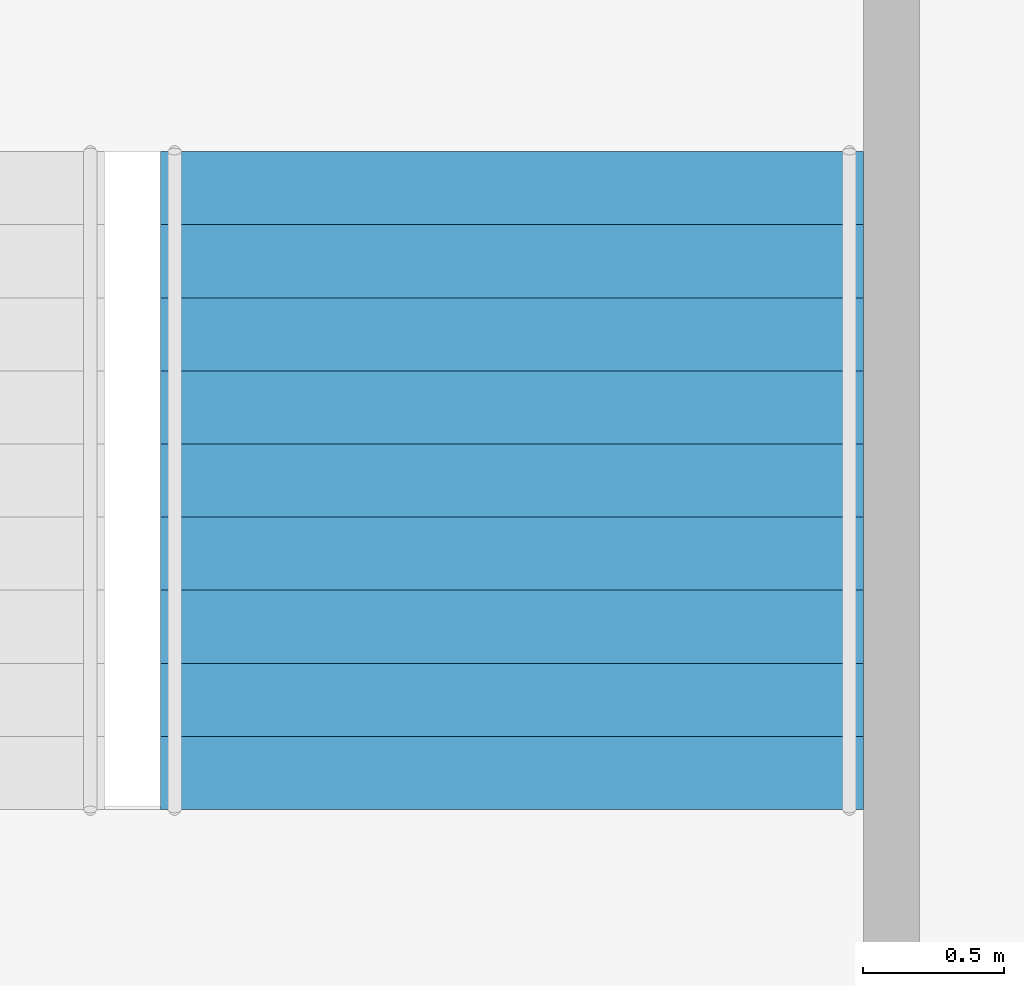
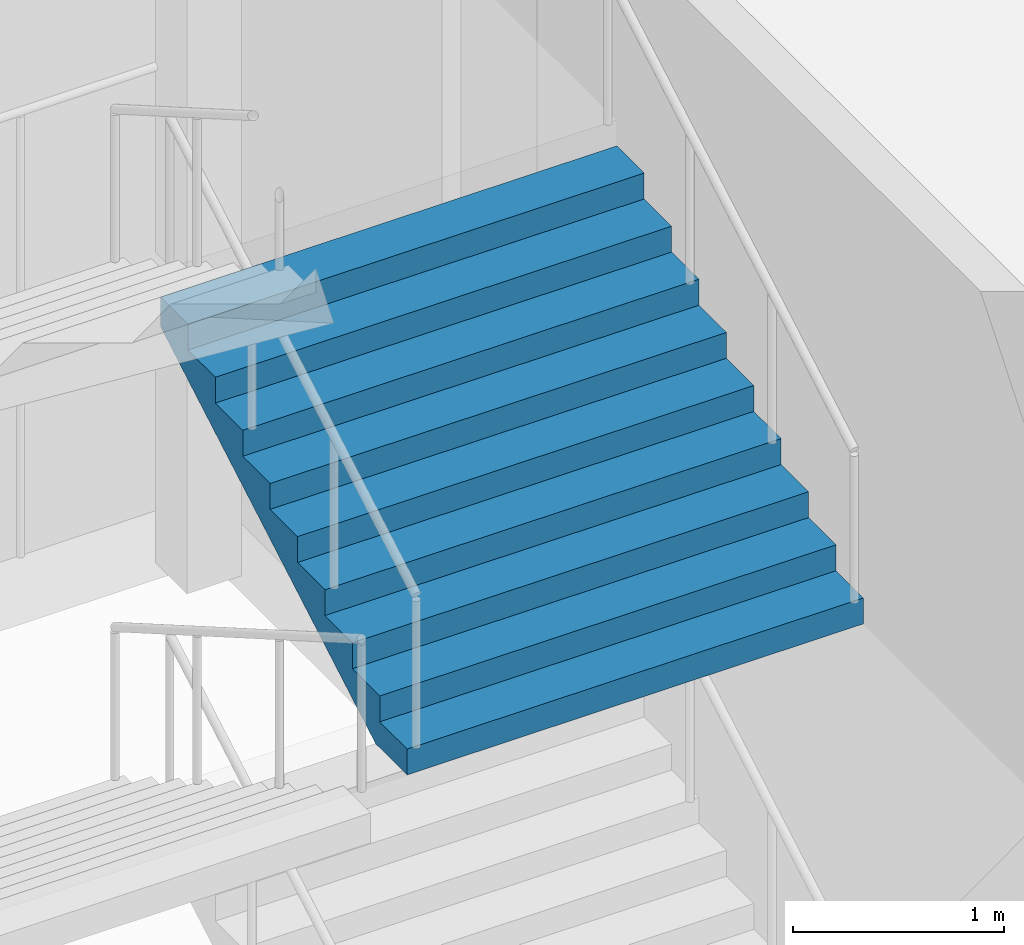
# One storey, part 49 of 100: 1 stair flight, 1 element without a shape of its own.
"""IFC4 building model written with IfcOpenShell, lengths in metres."""

from ifc_helpers import new_model, si_unit, direction, frame, origin, place, context, subcontext, project, spatial, triangles, material, type_object, element, aggregate, save


model = new_model("IFC4")

# Units and contexts
model_context = context("Model", 3, precision=1e-05, world=origin(), true_north=direction((0.0, 1.0)))
body_context = subcontext(model_context, "Body", "Model", "MODEL_VIEW")
ifc_project = project(units=[si_unit("LENGTHUNIT", "METRE"), si_unit("AREAUNIT", "SQUARE_METRE"), si_unit("VOLUMEUNIT", "CUBIC_METRE"), si_unit("PLANEANGLEUNIT", "RADIAN"), si_unit("MASSUNIT", "GRAM", prefix="KILO")], contexts=[model_context])

# Site, building, storey
site_placement = place(None, origin())
site = spatial("IfcSite", under=ifc_project, at=site_placement, CompositionType="ELEMENT")
building_placement = place(site_placement, origin())
building = spatial("IfcBuilding", under=site, at=building_placement, Name="Hakoniwa Tower and Hamabe Station Hall", CompositionType="ELEMENT")
storey_placement = place(building_placement, frame((0.0, 0.0, 9.0)))
storey = spatial("IfcBuildingStorey", under=building, at=storey_placement, Name="L02", CompositionType="ELEMENT", Elevation=9.0)

# Stair, stair flight
ifc_material_1 = material(Name="Concrete C40", Category="concrete")
stair_type = type_object("IfcStairType", Name="STAIR 2500 10X150", PredefinedType="HALF_TURN_STAIR", material=ifc_material_1)
stair_placement = place(storey_placement, origin())
stair = element("IfcStair", 1, at=stair_placement, inside=storey, type_object=stair_type, Name="Escape stair PS3", PredefinedType="HALF_TURN_STAIR")
ifc_material_2 = material(Name="Concrete C40", Category="concrete")
stair_flight_type = type_object("IfcStairFlightType", Name="STAIR FLIGHT 2500", PredefinedType="STRAIGHT", material=ifc_material_2)
stair_flight_placement = place(storey_placement, frame((47.800048828125, -22.35009765625, 3.0), z_axis=(0.0, 0.0, 1.0), x_axis=(0.0, 1.0, 0.0)))
stair_flight = element("IfcStairFlight", 2, at=stair_flight_placement, type_object=stair_flight_type, Name="PS3 flight 3", NumberOfRisers=10, NumberOfTreads=9, PredefinedType="STRAIGHT", RiserHeight=0.15, TreadLength=0.26, context=body_context, shape_type="Tessellation", body=[
    triangles([(0.0, 1.25, 0.0), (0.260009765625, 1.25, 0.0), (0.300048828125, 1.25, 0.0), (0.52001953125, 1.25, 0.126953125), (0.780029296875, 1.25, 0.27685546875), (1.0400390625, 1.25, 0.427001953125), (1.300048828125, 1.25, 0.576904296875), (1.56005859375, 1.25, 0.72705078125), (1.820068359375, 1.25, 0.876953125), (2.080078125, 1.25, 1.02685546875), (2.340087890625, 1.25, 1.177001953125), (2.340087890625, 1.25, 1.35009765625), (2.080078125, 1.25, 1.35009765625), (2.080078125, 1.25, 1.199951171875), (1.820068359375, 1.25, 1.199951171875), (1.820068359375, 1.25, 1.050048828125), (1.56005859375, 1.25, 1.050048828125), (1.56005859375, 1.25, 0.89990234375), (1.300048828125, 1.25, 0.89990234375), (1.300048828125, 1.25, 0.75), (1.0400390625, 1.25, 0.75), (1.0400390625, 1.25, 0.60009765625), (0.780029296875, 1.25, 0.60009765625), (0.780029296875, 1.25, 0.449951171875), (0.52001953125, 1.25, 0.449951171875), (0.52001953125, 1.25, 0.300048828125), (0.300048828125, 1.25, 0.300048828125), (0.260009765625, 1.25, 0.300048828125), (0.260009765625, 1.25, 0.14990234375), (0.0, 1.25, 0.14990234375), (0.0, 0.06005859375, 0.0), (0.260009765625, 0.06005859375, 0.0), (0.300048828125, 0.06005859375, 0.0), (0.52001953125, 0.06005859375, 0.126953125), (0.780029296875, 0.06005859375, 0.27685546875), (1.0400390625, 0.06005859375, 0.427001953125), (1.300048828125, 0.06005859375, 0.576904296875), (1.56005859375, 0.06005859375, 0.72705078125), (1.820068359375, 0.06005859375, 0.876953125), (2.080078125, 0.06005859375, 1.02685546875), (2.340087890625, 0.06005859375, 1.177001953125), (2.340087890625, 0.06005859375, 1.35009765625), (2.080078125, 0.06005859375, 1.35009765625), (2.080078125, 0.06005859375, 1.199951171875), (1.820068359375, 0.06005859375, 1.199951171875), (1.820068359375, 0.06005859375, 1.050048828125), (1.56005859375, 0.06005859375, 1.050048828125), (1.56005859375, 0.06005859375, 0.89990234375), (1.300048828125, 0.06005859375, 0.89990234375), (1.300048828125, 0.06005859375, 0.75), (1.0400390625, 0.06005859375, 0.75), (1.0400390625, 0.06005859375, 0.60009765625), (0.780029296875, 0.06005859375, 0.60009765625), (0.780029296875, 0.06005859375, 0.449951171875), (0.52001953125, 0.06005859375, 0.449951171875), (0.52001953125, 0.06005859375, 0.300048828125), (0.300048828125, 0.06005859375, 0.300048828125), (0.260009765625, 0.06005859375, 0.300048828125), (0.260009765625, 0.06005859375, 0.14990234375), (0.0, 0.06005859375, 0.14990234375), (0.0, 0.049072265625, 0.0), (0.260009765625, 0.049072265625, 0.0), (0.300048828125, 0.049072265625, 0.0), (0.52001953125, 0.049072265625, 0.126953125), (0.780029296875, 0.049072265625, 0.27685546875), (1.0400390625, 0.049072265625, 0.427001953125), (1.300048828125, 0.049072265625, 0.576904296875), (1.56005859375, 0.049072265625, 0.72705078125), (1.820068359375, 0.049072265625, 0.876953125), (2.080078125, 0.049072265625, 1.02685546875), (2.340087890625, 0.049072265625, 1.177001953125), (2.340087890625, 0.049072265625, 1.35009765625), (2.080078125, 0.049072265625, 1.35009765625), (2.080078125, 0.049072265625, 1.199951171875), (1.820068359375, 0.049072265625, 1.199951171875), (1.820068359375, 0.049072265625, 1.050048828125), (1.56005859375, 0.049072265625, 1.050048828125), (1.56005859375, 0.049072265625, 0.89990234375), (1.300048828125, 0.049072265625, 0.89990234375), (1.300048828125, 0.049072265625, 0.75), (1.0400390625, 0.049072265625, 0.75), (1.0400390625, 0.049072265625, 0.60009765625), (0.780029296875, 0.049072265625, 0.60009765625), (0.780029296875, 0.049072265625, 0.449951171875), (0.52001953125, 0.049072265625, 0.449951171875), (0.52001953125, 0.049072265625, 0.300048828125), (0.300048828125, 0.049072265625, 0.300048828125), (0.260009765625, 0.049072265625, 0.300048828125), (0.260009765625, 0.049072265625, 0.14990234375), (0.0, 0.049072265625, 0.14990234375), (0.0, 0.0380859375, 0.0), (0.260009765625, 0.0380859375, 0.0), (0.300048828125, 0.0380859375, 0.0), (0.52001953125, 0.0380859375, 0.126953125), (0.780029296875, 0.0380859375, 0.27685546875), (1.0400390625, 0.0380859375, 0.427001953125), (1.300048828125, 0.0380859375, 0.576904296875), (1.56005859375, 0.0380859375, 0.72705078125), (1.820068359375, 0.0380859375, 0.876953125), (2.080078125, 0.0380859375, 1.02685546875), (2.340087890625, 0.0380859375, 1.177001953125), (2.340087890625, 0.0380859375, 1.35009765625), (2.080078125, 0.0380859375, 1.35009765625), (2.080078125, 0.0380859375, 1.199951171875), (1.820068359375, 0.0380859375, 1.199951171875), (1.820068359375, 0.0380859375, 1.050048828125), (1.56005859375, 0.0380859375, 1.050048828125), (1.56005859375, 0.0380859375, 0.89990234375), (1.300048828125, 0.0380859375, 0.89990234375), (1.300048828125, 0.0380859375, 0.75), (1.0400390625, 0.0380859375, 0.75), (1.0400390625, 0.0380859375, 0.60009765625), (0.780029296875, 0.0380859375, 0.60009765625), (0.780029296875, 0.0380859375, 0.449951171875), (0.52001953125, 0.0380859375, 0.449951171875), (0.52001953125, 0.0380859375, 0.300048828125), (0.300048828125, 0.0380859375, 0.300048828125), (0.260009765625, 0.0380859375, 0.300048828125), (0.260009765625, 0.0380859375, 0.14990234375), (0.0, 0.0380859375, 0.14990234375), (0.0, 0.02734375, 0.0), (0.260009765625, 0.02734375, 0.0), (0.300048828125, 0.02734375, 0.0), (0.52001953125, 0.02734375, 0.126953125), (0.780029296875, 0.02734375, 0.27685546875), (1.0400390625, 0.02734375, 0.427001953125), (1.300048828125, 0.02734375, 0.576904296875), (1.56005859375, 0.02734375, 0.72705078125), (1.820068359375, 0.02734375, 0.876953125), (2.080078125, 0.02734375, 1.02685546875), (2.340087890625, 0.02734375, 1.177001953125), (2.340087890625, 0.02734375, 1.35009765625), (2.080078125, 0.02734375, 1.35009765625), (2.080078125, 0.02734375, 1.199951171875), (1.820068359375, 0.02734375, 1.199951171875), (1.820068359375, 0.02734375, 1.050048828125), (1.56005859375, 0.02734375, 1.050048828125), (1.56005859375, 0.02734375, 0.89990234375), (1.300048828125, 0.02734375, 0.89990234375), (1.300048828125, 0.02734375, 0.75), (1.0400390625, 0.02734375, 0.75), (1.0400390625, 0.02734375, 0.60009765625), (0.780029296875, 0.02734375, 0.60009765625), (0.780029296875, 0.02734375, 0.449951171875), (0.52001953125, 0.02734375, 0.449951171875), (0.52001953125, 0.02734375, 0.300048828125), (0.300048828125, 0.02734375, 0.300048828125), (0.260009765625, 0.02734375, 0.300048828125), (0.260009765625, 0.02734375, 0.14990234375), (0.0, 0.02734375, 0.14990234375), (0.0, 0.016357421875, 0.0), (0.260009765625, 0.016357421875, 0.0), (0.300048828125, 0.016357421875, 0.0), (0.52001953125, 0.016357421875, 0.126953125), (0.780029296875, 0.016357421875, 0.27685546875), (1.0400390625, 0.016357421875, 0.427001953125), (1.300048828125, 0.016357421875, 0.576904296875), (1.56005859375, 0.016357421875, 0.72705078125), (1.820068359375, 0.016357421875, 0.876953125), (2.080078125, 0.016357421875, 1.02685546875), (2.340087890625, 0.016357421875, 1.177001953125), (2.340087890625, 0.016357421875, 1.35009765625), (2.080078125, 0.016357421875, 1.35009765625), (2.080078125, 0.016357421875, 1.199951171875), (1.820068359375, 0.016357421875, 1.199951171875), (1.820068359375, 0.016357421875, 1.050048828125), (1.56005859375, 0.016357421875, 1.050048828125), (1.56005859375, 0.016357421875, 0.89990234375), (1.300048828125, 0.016357421875, 0.89990234375), (1.300048828125, 0.016357421875, 0.75), (1.0400390625, 0.016357421875, 0.75), (1.0400390625, 0.016357421875, 0.60009765625), (0.780029296875, 0.016357421875, 0.60009765625), (0.780029296875, 0.016357421875, 0.449951171875), (0.52001953125, 0.016357421875, 0.449951171875), (0.52001953125, 0.016357421875, 0.300048828125), (0.300048828125, 0.016357421875, 0.300048828125), (0.260009765625, 0.016357421875, 0.300048828125), (0.260009765625, 0.016357421875, 0.14990234375), (0.0, 0.016357421875, 0.14990234375), (0.0, 0.00537109375, 0.0), (0.260009765625, 0.00537109375, 0.0), (0.300048828125, 0.00537109375, 0.0), (0.52001953125, 0.00537109375, 0.126953125), (0.780029296875, 0.00537109375, 0.27685546875), (1.0400390625, 0.00537109375, 0.427001953125), (1.300048828125, 0.00537109375, 0.576904296875), (1.56005859375, 0.00537109375, 0.72705078125), (1.820068359375, 0.00537109375, 0.876953125), (2.080078125, 0.00537109375, 1.02685546875), (2.340087890625, 0.00537109375, 1.177001953125), (2.340087890625, 0.00537109375, 1.35009765625), (2.080078125, 0.00537109375, 1.35009765625), (2.080078125, 0.00537109375, 1.199951171875), (1.820068359375, 0.00537109375, 1.199951171875), (1.820068359375, 0.00537109375, 1.050048828125), (1.56005859375, 0.00537109375, 1.050048828125), (1.56005859375, 0.00537109375, 0.89990234375), (1.300048828125, 0.00537109375, 0.89990234375), (1.300048828125, 0.00537109375, 0.75), (1.0400390625, 0.00537109375, 0.75), (1.0400390625, 0.00537109375, 0.60009765625), (0.780029296875, 0.00537109375, 0.60009765625), (0.780029296875, 0.00537109375, 0.449951171875), (0.52001953125, 0.00537109375, 0.449951171875), (0.52001953125, 0.00537109375, 0.300048828125), (0.300048828125, 0.00537109375, 0.300048828125), (0.260009765625, 0.00537109375, 0.300048828125), (0.260009765625, 0.00537109375, 0.14990234375), (0.0, 0.00537109375, 0.14990234375), (0.0, -0.00537109375, 0.0), (0.260009765625, -0.00537109375, 0.0), (0.300048828125, -0.00537109375, 0.0), (0.52001953125, -0.00537109375, 0.126953125), (0.780029296875, -0.00537109375, 0.27685546875), (1.0400390625, -0.00537109375, 0.427001953125), (1.300048828125, -0.00537109375, 0.576904296875), (1.56005859375, -0.00537109375, 0.72705078125), (1.820068359375, -0.00537109375, 0.876953125), (2.080078125, -0.00537109375, 1.02685546875), (2.340087890625, -0.00537109375, 1.177001953125), (2.340087890625, -0.00537109375, 1.35009765625), (2.080078125, -0.00537109375, 1.35009765625), (2.080078125, -0.00537109375, 1.199951171875), (1.820068359375, -0.00537109375, 1.199951171875), (1.820068359375, -0.00537109375, 1.050048828125), (1.56005859375, -0.00537109375, 1.050048828125), (1.56005859375, -0.00537109375, 0.89990234375), (1.300048828125, -0.00537109375, 0.89990234375), (1.300048828125, -0.00537109375, 0.75), (1.0400390625, -0.00537109375, 0.75), (1.0400390625, -0.00537109375, 0.60009765625), (0.780029296875, -0.00537109375, 0.60009765625), (0.780029296875, -0.00537109375, 0.449951171875), (0.52001953125, -0.00537109375, 0.449951171875), (0.52001953125, -0.00537109375, 0.300048828125), (0.300048828125, -0.00537109375, 0.300048828125), (0.260009765625, -0.00537109375, 0.300048828125), (0.260009765625, -0.00537109375, 0.14990234375), (0.0, -0.00537109375, 0.14990234375), (0.0, -0.016357421875, 0.0), (0.260009765625, -0.016357421875, 0.0), (0.300048828125, -0.016357421875, 0.0), (0.52001953125, -0.016357421875, 0.126953125), (0.780029296875, -0.016357421875, 0.27685546875), (1.0400390625, -0.016357421875, 0.427001953125), (1.300048828125, -0.016357421875, 0.576904296875), (1.56005859375, -0.016357421875, 0.72705078125), (1.820068359375, -0.016357421875, 0.876953125), (2.080078125, -0.016357421875, 1.02685546875), (2.340087890625, -0.016357421875, 1.177001953125), (2.340087890625, -0.016357421875, 1.35009765625), (2.080078125, -0.016357421875, 1.35009765625), (2.080078125, -0.016357421875, 1.199951171875), (1.820068359375, -0.016357421875, 1.199951171875), (1.820068359375, -0.016357421875, 1.050048828125), (1.56005859375, -0.016357421875, 1.050048828125), (1.56005859375, -0.016357421875, 0.89990234375), (1.300048828125, -0.016357421875, 0.89990234375), (1.300048828125, -0.016357421875, 0.75), (1.0400390625, -0.016357421875, 0.75), (1.0400390625, -0.016357421875, 0.60009765625), (0.780029296875, -0.016357421875, 0.60009765625), (0.780029296875, -0.016357421875, 0.449951171875), (0.52001953125, -0.016357421875, 0.449951171875), (0.52001953125, -0.016357421875, 0.300048828125), (0.300048828125, -0.016357421875, 0.300048828125), (0.260009765625, -0.016357421875, 0.300048828125), (0.260009765625, -0.016357421875, 0.14990234375), (0.0, -0.016357421875, 0.14990234375), (0.0, -0.02734375, 0.0), (0.260009765625, -0.02734375, 0.0), (0.300048828125, -0.02734375, 0.0), (0.52001953125, -0.02734375, 0.126953125), (0.780029296875, -0.02734375, 0.27685546875), (1.0400390625, -0.02734375, 0.427001953125), (1.300048828125, -0.02734375, 0.576904296875), (1.56005859375, -0.02734375, 0.72705078125), (1.820068359375, -0.02734375, 0.876953125), (2.080078125, -0.02734375, 1.02685546875), (2.340087890625, -0.02734375, 1.177001953125), (2.340087890625, -0.02734375, 1.35009765625), (2.080078125, -0.02734375, 1.35009765625), (2.080078125, -0.02734375, 1.199951171875), (1.820068359375, -0.02734375, 1.199951171875), (1.820068359375, -0.02734375, 1.050048828125), (1.56005859375, -0.02734375, 1.050048828125), (1.56005859375, -0.02734375, 0.89990234375), (1.300048828125, -0.02734375, 0.89990234375), (1.300048828125, -0.02734375, 0.75), (1.0400390625, -0.02734375, 0.75), (1.0400390625, -0.02734375, 0.60009765625), (0.780029296875, -0.02734375, 0.60009765625), (0.780029296875, -0.02734375, 0.449951171875), (0.52001953125, -0.02734375, 0.449951171875), (0.52001953125, -0.02734375, 0.300048828125), (0.300048828125, -0.02734375, 0.300048828125), (0.260009765625, -0.02734375, 0.300048828125), (0.260009765625, -0.02734375, 0.14990234375), (0.0, -0.02734375, 0.14990234375), (0.0, -0.0380859375, 0.0), (0.260009765625, -0.0380859375, 0.0), (0.300048828125, -0.0380859375, 0.0), (0.52001953125, -0.0380859375, 0.126953125), (0.780029296875, -0.0380859375, 0.27685546875), (1.0400390625, -0.0380859375, 0.427001953125), (1.300048828125, -0.0380859375, 0.576904296875), (1.56005859375, -0.0380859375, 0.72705078125), (1.820068359375, -0.0380859375, 0.876953125), (2.080078125, -0.0380859375, 1.02685546875), (2.340087890625, -0.0380859375, 1.177001953125), (2.340087890625, -0.0380859375, 1.35009765625), (2.080078125, -0.0380859375, 1.35009765625), (2.080078125, -0.0380859375, 1.199951171875), (1.820068359375, -0.0380859375, 1.199951171875), (1.820068359375, -0.0380859375, 1.050048828125), (1.56005859375, -0.0380859375, 1.050048828125), (1.56005859375, -0.0380859375, 0.89990234375), (1.300048828125, -0.0380859375, 0.89990234375), (1.300048828125, -0.0380859375, 0.75), (1.0400390625, -0.0380859375, 0.75), (1.0400390625, -0.0380859375, 0.60009765625), (0.780029296875, -0.0380859375, 0.60009765625), (0.780029296875, -0.0380859375, 0.449951171875), (0.52001953125, -0.0380859375, 0.449951171875), (0.52001953125, -0.0380859375, 0.300048828125), (0.300048828125, -0.0380859375, 0.300048828125), (0.260009765625, -0.0380859375, 0.300048828125), (0.260009765625, -0.0380859375, 0.14990234375), (0.0, -0.0380859375, 0.14990234375), (0.0, -0.049072265625, 0.0), (0.260009765625, -0.049072265625, 0.0), (0.300048828125, -0.049072265625, 0.0), (0.52001953125, -0.049072265625, 0.126953125), (0.780029296875, -0.049072265625, 0.27685546875), (1.0400390625, -0.049072265625, 0.427001953125), (1.300048828125, -0.049072265625, 0.576904296875), (1.56005859375, -0.049072265625, 0.72705078125), (1.820068359375, -0.049072265625, 0.876953125), (2.080078125, -0.049072265625, 1.02685546875), (2.340087890625, -0.049072265625, 1.177001953125), (2.340087890625, -0.049072265625, 1.35009765625), (2.080078125, -0.049072265625, 1.35009765625), (2.080078125, -0.049072265625, 1.199951171875), (1.820068359375, -0.049072265625, 1.199951171875), (1.820068359375, -0.049072265625, 1.050048828125), (1.56005859375, -0.049072265625, 1.050048828125), (1.56005859375, -0.049072265625, 0.89990234375), (1.300048828125, -0.049072265625, 0.89990234375), (1.300048828125, -0.049072265625, 0.75), (1.0400390625, -0.049072265625, 0.75), (1.0400390625, -0.049072265625, 0.60009765625), (0.780029296875, -0.049072265625, 0.60009765625), (0.780029296875, -0.049072265625, 0.449951171875), (0.52001953125, -0.049072265625, 0.449951171875), (0.52001953125, -0.049072265625, 0.300048828125), (0.300048828125, -0.049072265625, 0.300048828125), (0.260009765625, -0.049072265625, 0.300048828125), (0.260009765625, -0.049072265625, 0.14990234375), (0.0, -0.049072265625, 0.14990234375), (0.0, -0.06005859375, 0.0), (0.260009765625, -0.06005859375, 0.0), (0.300048828125, -0.06005859375, 0.0), (0.52001953125, -0.06005859375, 0.126953125), (0.780029296875, -0.06005859375, 0.27685546875), (1.0400390625, -0.06005859375, 0.427001953125), (1.300048828125, -0.06005859375, 0.576904296875), (1.56005859375, -0.06005859375, 0.72705078125), (1.820068359375, -0.06005859375, 0.876953125), (2.080078125, -0.06005859375, 1.02685546875), (2.340087890625, -0.06005859375, 1.177001953125), (2.340087890625, -0.06005859375, 1.35009765625), (2.080078125, -0.06005859375, 1.35009765625), (2.080078125, -0.06005859375, 1.199951171875), (1.820068359375, -0.06005859375, 1.199951171875), (1.820068359375, -0.06005859375, 1.050048828125), (1.56005859375, -0.06005859375, 1.050048828125), (1.56005859375, -0.06005859375, 0.89990234375), (1.300048828125, -0.06005859375, 0.89990234375), (1.300048828125, -0.06005859375, 0.75), (1.0400390625, -0.06005859375, 0.75), (1.0400390625, -0.06005859375, 0.60009765625), (0.780029296875, -0.06005859375, 0.60009765625), (0.780029296875, -0.06005859375, 0.449951171875), (0.52001953125, -0.06005859375, 0.449951171875), (0.52001953125, -0.06005859375, 0.300048828125), (0.300048828125, -0.06005859375, 0.300048828125), (0.260009765625, -0.06005859375, 0.300048828125), (0.260009765625, -0.06005859375, 0.14990234375), (0.0, -0.06005859375, 0.14990234375), (0.0, -1.25, 0.0), (0.260009765625, -1.25, 0.0), (0.300048828125, -1.25, 0.0), (0.52001953125, -1.25, 0.126953125), (0.780029296875, -1.25, 0.27685546875), (1.0400390625, -1.25, 0.427001953125), (1.300048828125, -1.25, 0.576904296875), (1.56005859375, -1.25, 0.72705078125), (1.820068359375, -1.25, 0.876953125), (2.080078125, -1.25, 1.02685546875), (2.340087890625, -1.25, 1.177001953125), (2.340087890625, -1.25, 1.35009765625), (2.080078125, -1.25, 1.35009765625), (2.080078125, -1.25, 1.199951171875), (1.820068359375, -1.25, 1.199951171875), (1.820068359375, -1.25, 1.050048828125), (1.56005859375, -1.25, 1.050048828125), (1.56005859375, -1.25, 0.89990234375), (1.300048828125, -1.25, 0.89990234375), (1.300048828125, -1.25, 0.75), (1.0400390625, -1.25, 0.75), (1.0400390625, -1.25, 0.60009765625), (0.780029296875, -1.25, 0.60009765625), (0.780029296875, -1.25, 0.449951171875), (0.52001953125, -1.25, 0.449951171875), (0.52001953125, -1.25, 0.300048828125), (0.300048828125, -1.25, 0.300048828125), (0.260009765625, -1.25, 0.300048828125), (0.260009765625, -1.25, 0.14990234375), (0.0, -1.25, 0.14990234375)], [[2, 30, 29], [392, 419, 420], [2, 1, 30], [392, 420, 391], [3, 28, 27], [393, 417, 418], [3, 29, 28], [393, 418, 419], [3, 2, 29], [393, 419, 392], [4, 27, 26], [394, 416, 417], [4, 3, 27], [394, 417, 393], [5, 25, 24], [395, 414, 415], [5, 26, 25], [395, 415, 416], [5, 4, 26], [395, 416, 394], [6, 23, 22], [396, 412, 413], [6, 24, 23], [396, 413, 414], [6, 5, 24], [396, 414, 395], [7, 21, 20], [397, 410, 411], [7, 22, 21], [397, 411, 412], [7, 6, 22], [397, 412, 396], [8, 19, 18], [398, 408, 409], [8, 20, 19], [398, 409, 410], [8, 7, 20], [398, 410, 397], [9, 17, 16], [399, 406, 407], [9, 18, 17], [399, 407, 408], [9, 8, 18], [399, 408, 398], [10, 15, 14], [400, 404, 405], [10, 16, 15], [400, 405, 406], [10, 9, 16], [400, 406, 399], [11, 13, 12], [401, 402, 403], [11, 14, 13], [401, 403, 404], [11, 10, 14], [401, 404, 400], [1, 2, 32], [1, 32, 31], [31, 32, 62], [31, 62, 61], [61, 62, 92], [61, 92, 91], [91, 92, 122], [91, 122, 121], [121, 122, 152], [121, 152, 151], [151, 152, 182], [151, 182, 181], [181, 182, 212], [181, 212, 211], [211, 212, 242], [211, 242, 241], [241, 242, 272], [241, 272, 271], [271, 272, 302], [271, 302, 301], [301, 302, 332], [301, 332, 331], [331, 332, 362], [331, 362, 361], [361, 362, 392], [361, 392, 391], [2, 3, 33], [2, 33, 32], [32, 33, 63], [32, 63, 62], [62, 63, 93], [62, 93, 92], [92, 93, 123], [92, 123, 122], [122, 123, 153], [122, 153, 152], [152, 153, 183], [152, 183, 182], [182, 183, 213], [182, 213, 212], [212, 213, 243], [212, 243, 242], [242, 243, 273], [242, 273, 272], [272, 273, 303], [272, 303, 302], [302, 303, 333], [302, 333, 332], [332, 333, 363], [332, 363, 362], [362, 363, 393], [362, 393, 392], [3, 4, 34], [3, 34, 33], [33, 34, 64], [33, 64, 63], [63, 64, 94], [63, 94, 93], [93, 94, 124], [93, 124, 123], [123, 124, 154], [123, 154, 153], [153, 154, 184], [153, 184, 183], [183, 184, 214], [183, 214, 213], [213, 214, 244], [213, 244, 243], [243, 244, 274], [243, 274, 273], [273, 274, 304], [273, 304, 303], [303, 304, 334], [303, 334, 333], [333, 334, 364], [333, 364, 363], [363, 364, 394], [363, 394, 393], [4, 5, 35], [4, 35, 34], [34, 35, 65], [34, 65, 64], [64, 65, 95], [64, 95, 94], [94, 95, 125], [94, 125, 124], [124, 125, 155], [124, 155, 154], [154, 155, 185], [154, 185, 184], [184, 185, 215], [184, 215, 214], [214, 215, 245], [214, 245, 244], [244, 245, 275], [244, 275, 274], [274, 275, 305], [274, 305, 304], [304, 305, 335], [304, 335, 334], [334, 335, 365], [334, 365, 364], [364, 365, 395], [364, 395, 394], [5, 6, 36], [5, 36, 35], [35, 36, 66], [35, 66, 65], [65, 66, 96], [65, 96, 95], [95, 96, 126], [95, 126, 125], [125, 126, 156], [125, 156, 155], [155, 156, 186], [155, 186, 185], [185, 186, 216], [185, 216, 215], [215, 216, 246], [215, 246, 245], [245, 246, 276], [245, 276, 275], [275, 276, 306], [275, 306, 305], [305, 306, 336], [305, 336, 335], [335, 336, 366], [335, 366, 365], [365, 366, 396], [365, 396, 395], [6, 7, 37], [6, 37, 36], [36, 37, 67], [36, 67, 66], [66, 67, 97], [66, 97, 96], [96, 97, 127], [96, 127, 126], [126, 127, 157], [126, 157, 156], [156, 157, 187], [156, 187, 186], [186, 187, 217], [186, 217, 216], [216, 217, 247], [216, 247, 246], [246, 247, 277], [246, 277, 276], [276, 277, 307], [276, 307, 306], [306, 307, 337], [306, 337, 336], [336, 337, 367], [336, 367, 366], [366, 367, 397], [366, 397, 396], [7, 8, 38], [7, 38, 37], [37, 38, 68], [37, 68, 67], [67, 68, 98], [67, 98, 97], [97, 98, 128], [97, 128, 127], [127, 128, 158], [127, 158, 157], [157, 158, 188], [157, 188, 187], [187, 188, 218], [187, 218, 217], [217, 218, 248], [217, 248, 247], [247, 248, 278], [247, 278, 277], [277, 278, 308], [277, 308, 307], [307, 308, 338], [307, 338, 337], [337, 338, 368], [337, 368, 367], [367, 368, 398], [367, 398, 397], [8, 9, 39], [8, 39, 38], [38, 39, 69], [38, 69, 68], [68, 69, 99], [68, 99, 98], [98, 99, 129], [98, 129, 128], [128, 129, 159], [128, 159, 158], [158, 159, 189], [158, 189, 188], [188, 189, 219], [188, 219, 218], [218, 219, 249], [218, 249, 248], [248, 249, 279], [248, 279, 278], [278, 279, 309], [278, 309, 308], [308, 309, 339], [308, 339, 338], [338, 339, 369], [338, 369, 368], [368, 369, 399], [368, 399, 398], [9, 10, 40], [9, 40, 39], [39, 40, 70], [39, 70, 69], [69, 70, 100], [69, 100, 99], [99, 100, 130], [99, 130, 129], [129, 130, 160], [129, 160, 159], [159, 160, 190], [159, 190, 189], [189, 190, 220], [189, 220, 219], [219, 220, 250], [219, 250, 249], [249, 250, 280], [249, 280, 279], [279, 280, 310], [279, 310, 309], [309, 310, 340], [309, 340, 339], [339, 340, 370], [339, 370, 369], [369, 370, 400], [369, 400, 399], [10, 11, 41], [10, 41, 40], [40, 41, 71], [40, 71, 70], [70, 71, 101], [70, 101, 100], [100, 101, 131], [100, 131, 130], [130, 131, 161], [130, 161, 160], [160, 161, 191], [160, 191, 190], [190, 191, 221], [190, 221, 220], [220, 221, 251], [220, 251, 250], [250, 251, 281], [250, 281, 280], [280, 281, 311], [280, 311, 310], [310, 311, 341], [310, 341, 340], [340, 341, 371], [340, 371, 370], [370, 371, 401], [370, 401, 400], [11, 12, 42], [11, 42, 41], [41, 42, 72], [41, 72, 71], [71, 72, 102], [71, 102, 101], [101, 102, 132], [101, 132, 131], [131, 132, 162], [131, 162, 161], [161, 162, 192], [161, 192, 191], [191, 192, 222], [191, 222, 221], [221, 222, 252], [221, 252, 251], [251, 252, 282], [251, 282, 281], [281, 282, 312], [281, 312, 311], [311, 312, 342], [311, 342, 341], [341, 342, 372], [341, 372, 371], [371, 372, 402], [371, 402, 401], [12, 13, 43], [12, 43, 42], [42, 43, 73], [42, 73, 72], [72, 73, 103], [72, 103, 102], [102, 103, 133], [102, 133, 132], [132, 133, 163], [132, 163, 162], [162, 163, 193], [162, 193, 192], [192, 193, 223], [192, 223, 222], [222, 223, 253], [222, 253, 252], [252, 253, 283], [252, 283, 282], [282, 283, 313], [282, 313, 312], [312, 313, 343], [312, 343, 342], [342, 343, 373], [342, 373, 372], [372, 373, 403], [372, 403, 402], [13, 14, 44], [13, 44, 43], [43, 44, 74], [43, 74, 73], [73, 74, 104], [73, 104, 103], [103, 104, 134], [103, 134, 133], [133, 134, 164], [133, 164, 163], [163, 164, 194], [163, 194, 193], [193, 194, 224], [193, 224, 223], [223, 224, 254], [223, 254, 253], [253, 254, 284], [253, 284, 283], [283, 284, 314], [283, 314, 313], [313, 314, 344], [313, 344, 343], [343, 344, 374], [343, 374, 373], [373, 374, 404], [373, 404, 403], [14, 15, 45], [14, 45, 44], [44, 45, 75], [44, 75, 74], [74, 75, 105], [74, 105, 104], [104, 105, 135], [104, 135, 134], [134, 135, 165], [134, 165, 164], [164, 165, 195], [164, 195, 194], [194, 195, 225], [194, 225, 224], [224, 225, 255], [224, 255, 254], [254, 255, 285], [254, 285, 284], [284, 285, 315], [284, 315, 314], [314, 315, 345], [314, 345, 344], [344, 345, 375], [344, 375, 374], [374, 375, 405], [374, 405, 404], [15, 16, 46], [15, 46, 45], [45, 46, 76], [45, 76, 75], [75, 76, 106], [75, 106, 105], [105, 106, 136], [105, 136, 135], [135, 136, 166], [135, 166, 165], [165, 166, 196], [165, 196, 195], [195, 196, 226], [195, 226, 225], [225, 226, 256], [225, 256, 255], [255, 256, 286], [255, 286, 285], [285, 286, 316], [285, 316, 315], [315, 316, 346], [315, 346, 345], [345, 346, 376], [345, 376, 375], [375, 376, 406], [375, 406, 405], [16, 17, 47], [16, 47, 46], [46, 47, 77], [46, 77, 76], [76, 77, 107], [76, 107, 106], [106, 107, 137], [106, 137, 136], [136, 137, 167], [136, 167, 166], [166, 167, 197], [166, 197, 196], [196, 197, 227], [196, 227, 226], [226, 227, 257], [226, 257, 256], [256, 257, 287], [256, 287, 286], [286, 287, 317], [286, 317, 316], [316, 317, 347], [316, 347, 346], [346, 347, 377], [346, 377, 376], [376, 377, 407], [376, 407, 406], [17, 18, 48], [17, 48, 47], [47, 48, 78], [47, 78, 77], [77, 78, 108], [77, 108, 107], [107, 108, 138], [107, 138, 137], [137, 138, 168], [137, 168, 167], [167, 168, 198], [167, 198, 197], [197, 198, 228], [197, 228, 227], [227, 228, 258], [227, 258, 257], [257, 258, 288], [257, 288, 287], [287, 288, 318], [287, 318, 317], [317, 318, 348], [317, 348, 347], [347, 348, 378], [347, 378, 377], [377, 378, 408], [377, 408, 407], [18, 19, 49], [18, 49, 48], [48, 49, 79], [48, 79, 78], [78, 79, 109], [78, 109, 108], [108, 109, 139], [108, 139, 138], [138, 139, 169], [138, 169, 168], [168, 169, 199], [168, 199, 198], [198, 199, 229], [198, 229, 228], [228, 229, 259], [228, 259, 258], [258, 259, 289], [258, 289, 288], [288, 289, 319], [288, 319, 318], [318, 319, 349], [318, 349, 348], [348, 349, 379], [348, 379, 378], [378, 379, 409], [378, 409, 408], [19, 20, 50], [19, 50, 49], [49, 50, 80], [49, 80, 79], [79, 80, 110], [79, 110, 109], [109, 110, 140], [109, 140, 139], [139, 140, 170], [139, 170, 169], [169, 170, 200], [169, 200, 199], [199, 200, 230], [199, 230, 229], [229, 230, 260], [229, 260, 259], [259, 260, 290], [259, 290, 289], [289, 290, 320], [289, 320, 319], [319, 320, 350], [319, 350, 349], [349, 350, 380], [349, 380, 379], [379, 380, 410], [379, 410, 409], [20, 21, 51], [20, 51, 50], [50, 51, 81], [50, 81, 80], [80, 81, 111], [80, 111, 110], [110, 111, 141], [110, 141, 140], [140, 141, 171], [140, 171, 170], [170, 171, 201], [170, 201, 200], [200, 201, 231], [200, 231, 230], [230, 231, 261], [230, 261, 260], [260, 261, 291], [260, 291, 290], [290, 291, 321], [290, 321, 320], [320, 321, 351], [320, 351, 350], [350, 351, 381], [350, 381, 380], [380, 381, 411], [380, 411, 410], [21, 22, 52], [21, 52, 51], [51, 52, 82], [51, 82, 81], [81, 82, 112], [81, 112, 111], [111, 112, 142], [111, 142, 141], [141, 142, 172], [141, 172, 171], [171, 172, 202], [171, 202, 201], [201, 202, 232], [201, 232, 231], [231, 232, 262], [231, 262, 261], [261, 262, 292], [261, 292, 291], [291, 292, 322], [291, 322, 321], [321, 322, 352], [321, 352, 351], [351, 352, 382], [351, 382, 381], [381, 382, 412], [381, 412, 411], [22, 23, 53], [22, 53, 52], [52, 53, 83], [52, 83, 82], [82, 83, 113], [82, 113, 112], [112, 113, 143], [112, 143, 142], [142, 143, 173], [142, 173, 172], [172, 173, 203], [172, 203, 202], [202, 203, 233], [202, 233, 232], [232, 233, 263], [232, 263, 262], [262, 263, 293], [262, 293, 292], [292, 293, 323], [292, 323, 322], [322, 323, 353], [322, 353, 352], [352, 353, 383], [352, 383, 382], [382, 383, 413], [382, 413, 412], [23, 24, 54], [23, 54, 53], [53, 54, 84], [53, 84, 83], [83, 84, 114], [83, 114, 113], [113, 114, 144], [113, 144, 143], [143, 144, 174], [143, 174, 173], [173, 174, 204], [173, 204, 203], [203, 204, 234], [203, 234, 233], [233, 234, 264], [233, 264, 263], [263, 264, 294], [263, 294, 293], [293, 294, 324], [293, 324, 323], [323, 324, 354], [323, 354, 353], [353, 354, 384], [353, 384, 383], [383, 384, 414], [383, 414, 413], [24, 25, 55], [24, 55, 54], [54, 55, 85], [54, 85, 84], [84, 85, 115], [84, 115, 114], [114, 115, 145], [114, 145, 144], [144, 145, 175], [144, 175, 174], [174, 175, 205], [174, 205, 204], [204, 205, 235], [204, 235, 234], [234, 235, 265], [234, 265, 264], [264, 265, 295], [264, 295, 294], [294, 295, 325], [294, 325, 324], [324, 325, 355], [324, 355, 354], [354, 355, 385], [354, 385, 384], [384, 385, 415], [384, 415, 414], [25, 26, 56], [25, 56, 55], [55, 56, 86], [55, 86, 85], [85, 86, 116], [85, 116, 115], [115, 116, 146], [115, 146, 145], [145, 146, 176], [145, 176, 175], [175, 176, 206], [175, 206, 205], [205, 206, 236], [205, 236, 235], [235, 236, 266], [235, 266, 265], [265, 266, 296], [265, 296, 295], [295, 296, 326], [295, 326, 325], [325, 326, 356], [325, 356, 355], [355, 356, 386], [355, 386, 385], [385, 386, 416], [385, 416, 415], [26, 27, 57], [26, 57, 56], [56, 57, 87], [56, 87, 86], [86, 87, 117], [86, 117, 116], [116, 117, 147], [116, 147, 146], [146, 147, 177], [146, 177, 176], [176, 177, 207], [176, 207, 206], [206, 207, 237], [206, 237, 236], [236, 237, 267], [236, 267, 266], [266, 267, 297], [266, 297, 296], [296, 297, 327], [296, 327, 326], [326, 327, 357], [326, 357, 356], [356, 357, 387], [356, 387, 386], [386, 387, 417], [386, 417, 416], [27, 28, 58], [27, 58, 57], [57, 58, 88], [57, 88, 87], [87, 88, 118], [87, 118, 117], [117, 118, 148], [117, 148, 147], [147, 148, 178], [147, 178, 177], [177, 178, 208], [177, 208, 207], [207, 208, 238], [207, 238, 237], [237, 238, 268], [237, 268, 267], [267, 268, 298], [267, 298, 297], [297, 298, 328], [297, 328, 327], [327, 328, 358], [327, 358, 357], [357, 358, 388], [357, 388, 387], [387, 388, 418], [387, 418, 417], [28, 29, 59], [28, 59, 58], [58, 59, 89], [58, 89, 88], [88, 89, 119], [88, 119, 118], [118, 119, 149], [118, 149, 148], [148, 149, 179], [148, 179, 178], [178, 179, 209], [178, 209, 208], [208, 209, 239], [208, 239, 238], [238, 239, 269], [238, 269, 268], [268, 269, 299], [268, 299, 298], [298, 299, 329], [298, 329, 328], [328, 329, 359], [328, 359, 358], [358, 359, 389], [358, 389, 388], [388, 389, 419], [388, 419, 418], [29, 30, 60], [29, 60, 59], [59, 60, 90], [59, 90, 89], [89, 90, 120], [89, 120, 119], [119, 120, 150], [119, 150, 149], [149, 150, 180], [149, 180, 179], [179, 180, 210], [179, 210, 209], [209, 210, 240], [209, 240, 239], [239, 240, 270], [239, 270, 269], [269, 270, 300], [269, 300, 299], [299, 300, 330], [299, 330, 329], [329, 330, 360], [329, 360, 359], [359, 360, 390], [359, 390, 389], [389, 390, 420], [389, 420, 419], [30, 1, 31], [30, 31, 60], [60, 31, 61], [60, 61, 90], [90, 61, 91], [90, 91, 120], [120, 91, 121], [120, 121, 150], [150, 121, 151], [150, 151, 180], [180, 151, 181], [180, 181, 210], [210, 181, 211], [210, 211, 240], [240, 211, 241], [240, 241, 270], [270, 241, 271], [270, 271, 300], [300, 271, 301], [300, 301, 330], [330, 301, 331], [330, 331, 360], [360, 331, 361], [360, 361, 390], [390, 361, 391], [390, 391, 420]], closed=True),
])
aggregate(stair, [stair_flight])

save(model, "model.ifc")
